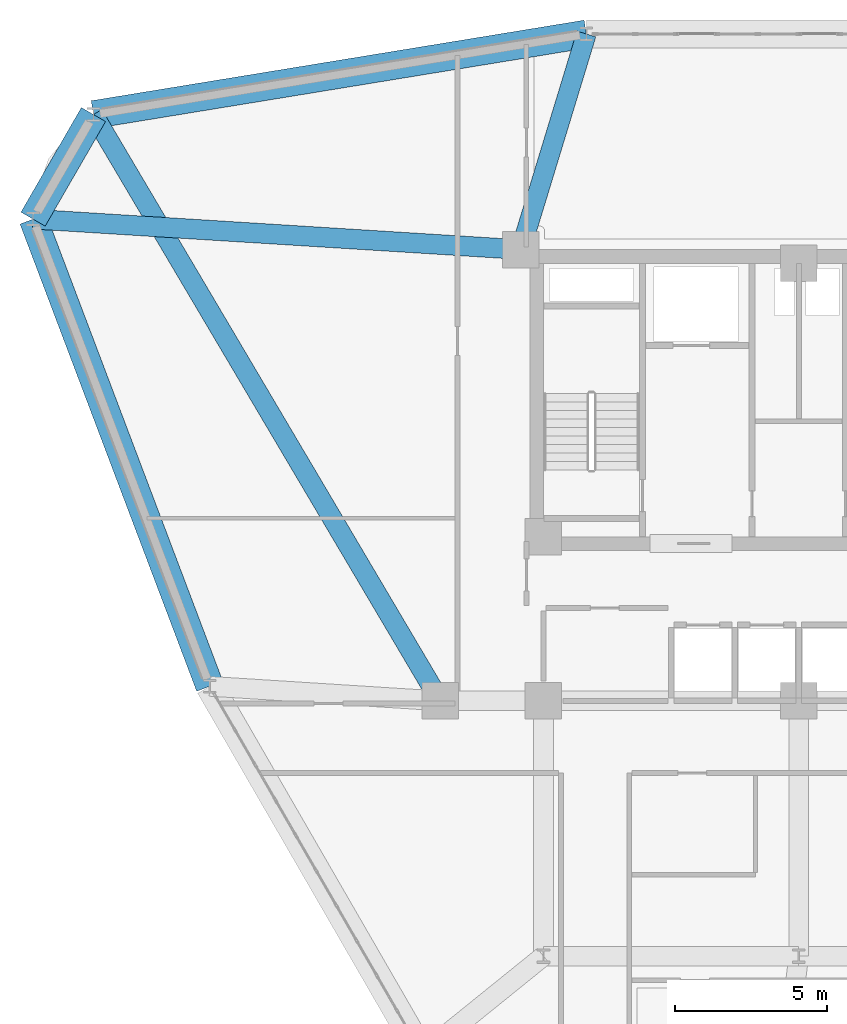
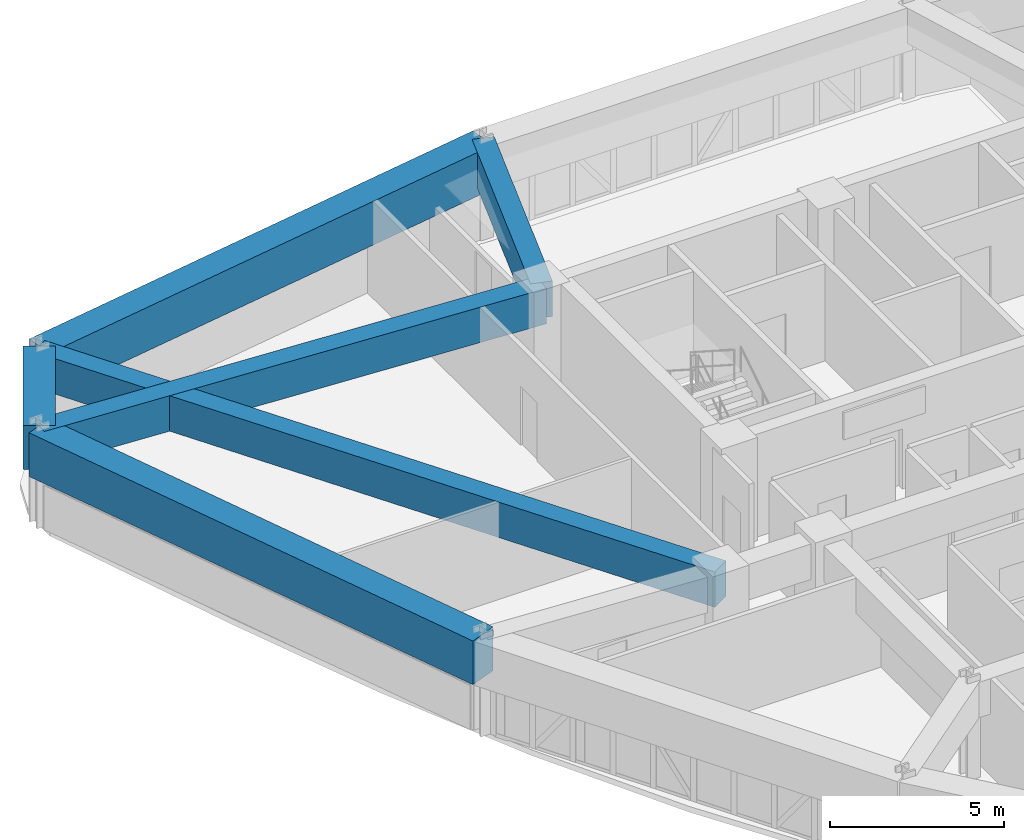
# One storey, part 7 of 15: 6 beams.
"""IFC4 building model written with IfcOpenShell, lengths in metres."""

from ifc_helpers import new_model, si_unit, derived_unit, direction, frame, origin, origin_2d, place, context, subcontext, project, spatial, rectangle, extrude, source, transform, mapped, material, material_profile, profile_set, type_object, element, save


model = new_model("IFC4")

# Units and contexts
model_context = context("Model", 3, precision=1e-05, world=origin(), true_north=direction((0.0, 1.0)))
body_context = subcontext(model_context, "Body", "Model", "MODEL_VIEW")
ifc_project = project(units=[si_unit("LENGTHUNIT", "METRE"), si_unit("AREAUNIT", "SQUARE_METRE"), si_unit("VOLUMEUNIT", "CUBIC_METRE"), si_unit("PLANEANGLEUNIT", "RADIAN"), si_unit("MASSUNIT", "GRAM", prefix="KILO"), derived_unit("THERMALTRANSMITTANCEUNIT", [(si_unit("POWERUNIT", "WATT"), 1), (si_unit("LENGTHUNIT", "METRE"), -2), (si_unit("THERMODYNAMICTEMPERATUREUNIT", "KELVIN"), -1)])], contexts=[model_context])

# Site, building, storey
site_placement = place(None, origin())
site = spatial("IfcSite", under=ifc_project, at=site_placement, CompositionType="ELEMENT")
building_placement = place(site_placement, origin())
building = spatial("IfcBuilding", under=site, at=building_placement, Name="Korsvarv Bourse and Concert Hall", CompositionType="ELEMENT")
storey_placement = place(building_placement, frame((0.0, 0.0, 109.800048828125)))
storey = spatial("IfcBuildingStorey", under=building, at=storey_placement, Name="L27", CompositionType="ELEMENT", Elevation=109.800048828125)

# Beams
ifc_material = material(Name="Concrete C50/60", Category="concrete")
ifc_material_profile_1 = material_profile(ifc_material, rectangle(XDim=0.919921875, YDim=1.530029296875, at=origin_2d()), Name="RC-BM 920x1530")
ifc_profile_set_1 = profile_set([ifc_material_profile_1], Name="Concrete C50/60")
beam_type_1 = type_object("IfcBeamType", Name="BM-TR-154", PredefinedType="BEAM", material=ifc_profile_set_1)
shared_shape_1 = source(origin(), body_context, "Body", "SweptSolid", [
    extrude(rectangle(XDim=0.919921875, YDim=1.530029296875, at=origin_2d()), origin(), (0.0, 0.0, 1.0), 3.974609375),
])
beam_1_placement = place(storey_placement, frame((12.79248046875, 51.693603515625, 2.635009765625), z_axis=(-0.499997169302, -0.866027038082, 0.0), x_axis=(0.866027038082, -0.499997169302, 0.0)))
element("IfcBeam", 1, at=beam_1_placement, inside=storey, type_object=beam_type_1, Name="L27 beam B-TR6", PredefinedType="BEAM", context=body_context, shape_type="MappedRepresentation", body=[
    mapped(shared_shape_1, transform((0.0, 0.0, 0.0), scale=1.0)),
])
shared_shape_2 = source(origin(), body_context, "Body", "SweptSolid", [
    extrude(rectangle(XDim=0.919921875, YDim=1.530029296875, at=origin_2d()), origin(), (0.0, 0.0, 1.0), 16.4345703125),
])
beam_2_placement = place(storey_placement, frame((29.011962890625, 54.344482421875, 2.635009765625), z_axis=(-0.986905771887, -0.161297853107, 0.0), x_axis=(0.161297853107, -0.986905771887, 0.0)))
element("IfcBeam", 2, at=beam_2_placement, inside=storey, type_object=beam_type_1, Name="L27 beam B-TR6", PredefinedType="BEAM", context=body_context, shape_type="MappedRepresentation", body=[
    mapped(shared_shape_2, transform((0.0, 0.0, 0.0), scale=1.0)),
])
shared_shape_3 = source(origin(), body_context, "Body", "SweptSolid", [
    extrude(rectangle(XDim=0.919921875, YDim=1.530029296875, at=origin_2d()), origin(), (0.0, 0.0, 1.0), 16.434814453125),
])
beam_3_placement = place(storey_placement, frame((10.80517578125, 48.25146484375, 2.635009765625), z_axis=(0.353759337672, -0.935336480102, 0.0), x_axis=(0.935336480102, 0.353759337672, 0.0)))
element("IfcBeam", 3, at=beam_3_placement, inside=storey, type_object=beam_type_1, Name="L27 beam B-TR6", PredefinedType="BEAM", context=body_context, shape_type="MappedRepresentation", body=[
    mapped(shared_shape_3, transform((0.0, 0.0, 0.0), scale=1.0)),
])
ifc_material_profile_2 = material_profile(ifc_material, rectangle(XDim=0.64990234375, YDim=1.239990234375, at=origin_2d()), Name="RC-BM 650x1240")
ifc_profile_set_2 = profile_set([ifc_material_profile_2], Name="Concrete C50/60")
beam_type_2 = type_object("IfcBeamType", Name="BM-TR-SPN", PredefinedType="BEAM", material=ifc_profile_set_2)
shared_shape_4 = source(origin(), body_context, "Body", "SweptSolid", [
    extrude(rectangle(XDim=0.64990234375, YDim=1.239990234375, at=origin_2d()), origin(), (0.0, 0.0, 1.0), 16.076171875),
])
beam_4_placement = place(storey_placement, frame((10.80517578125, 48.25146484375, 2.780029296875), z_axis=(0.998057775067, -0.062295085108, 0.0), x_axis=(0.062295085108, 0.998057775067, 0.0)))
element("IfcBeam", 4, at=beam_4_placement, inside=storey, type_object=beam_type_2, Name="L27 beam B-TRS", PredefinedType="BEAM", context=body_context, shape_type="MappedRepresentation", body=[
    mapped(shared_shape_4, transform((0.0, 0.0, 0.0), scale=1.0)),
])
shared_shape_5 = source(origin(), body_context, "Body", "SweptSolid", [
    extrude(rectangle(XDim=0.64990234375, YDim=1.239990234375, at=origin_2d()), origin(), (0.0, 0.0, 1.0), 22.413818359375),
])
beam_5_placement = place(storey_placement, frame((12.79248046875, 51.693603515625, 2.780029296875), z_axis=(0.508949112593, -0.860796608259, 0.0), x_axis=(0.860796608259, 0.508949112593, 0.0)))
element("IfcBeam", 5, at=beam_5_placement, inside=storey, type_object=beam_type_2, Name="L27 beam B-TRS", PredefinedType="BEAM", context=body_context, shape_type="MappedRepresentation", body=[
    mapped(shared_shape_5, transform((0.0, 0.0, 0.0), scale=1.0)),
])
shared_shape_6 = source(origin(), body_context, "Body", "SweptSolid", [
    extrude(rectangle(XDim=0.64990234375, YDim=1.239990234375, at=origin_2d()), origin(), (0.0, 0.0, 1.0), 7.41650390625),
])
beam_6_placement = place(storey_placement, frame((29.011962890625, 54.344482421875, 2.780029296875), z_axis=(-0.291491692849, -0.956573359968, 0.0), x_axis=(0.956573359968, -0.291491692849, 0.0)))
element("IfcBeam", 6, at=beam_6_placement, inside=storey, type_object=beam_type_2, Name="L27 beam B-TRS", PredefinedType="BEAM", context=body_context, shape_type="MappedRepresentation", body=[
    mapped(shared_shape_6, transform((0.0, 0.0, 0.0), scale=1.0)),
])

save(model, "model.ifc")
